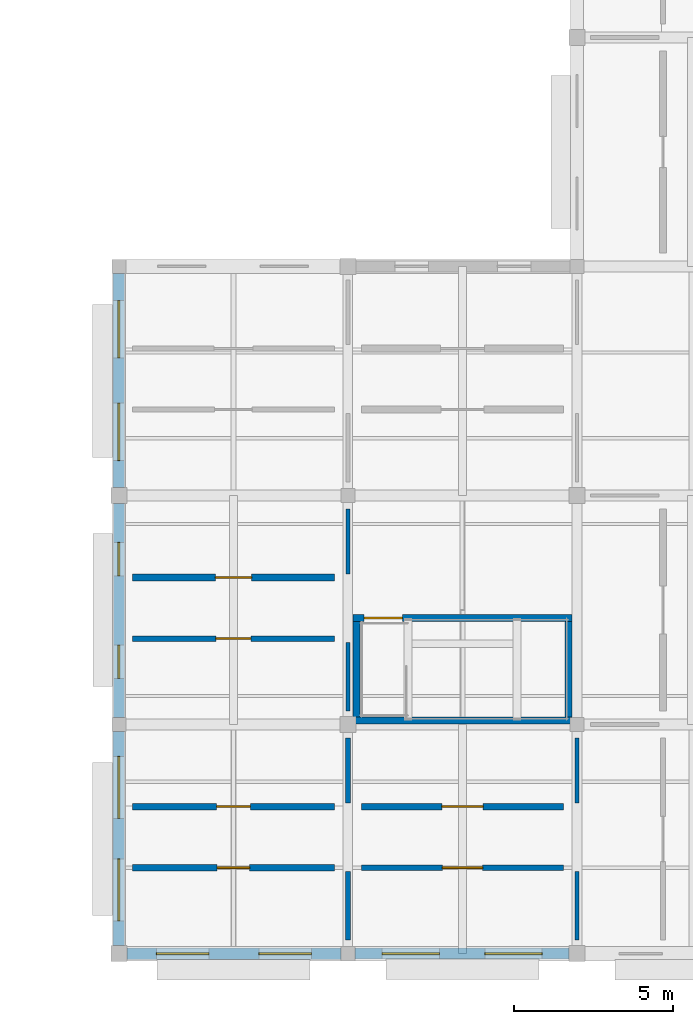
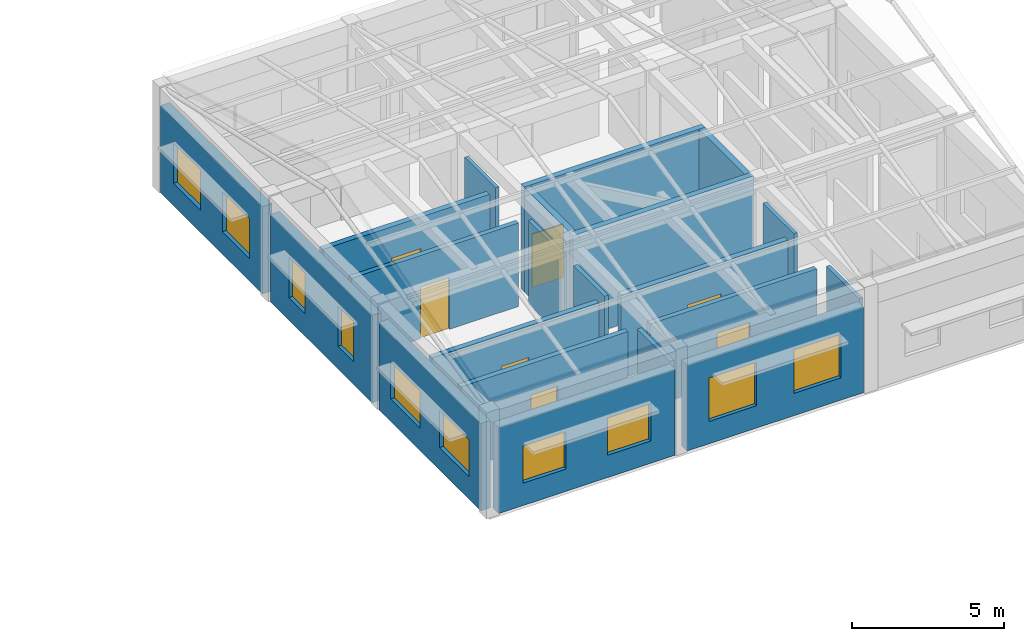
# One storey, part 133 of 171: 21 walls, 10 windows, 7 doors, 17 openings.
"""IFC4 building model written with IfcOpenShell, lengths in metres."""

from ifc_helpers import new_model, si_unit, direction, frame, frame_2d, origin, place, context, subcontext, project, spatial, rectangle, extrude, material, layer, layer_set, type_object, element, fill, save


model = new_model("IFC4")

# Units and contexts
model_context = context("Model", 3, precision=1e-05, world=origin(), true_north=direction((0.0, 1.0)))
body_context = subcontext(model_context, "Body", "Model", "MODEL_VIEW")
ifc_project = project(units=[si_unit("LENGTHUNIT", "METRE"), si_unit("AREAUNIT", "SQUARE_METRE"), si_unit("VOLUMEUNIT", "CUBIC_METRE"), si_unit("PLANEANGLEUNIT", "RADIAN"), si_unit("MASSUNIT", "GRAM", prefix="KILO")], contexts=[model_context])

# Site, building, storey
site_placement = place(None, origin())
site = spatial("IfcSite", under=ifc_project, at=site_placement, CompositionType="ELEMENT")
building_placement = place(site_placement, origin())
building = spatial("IfcBuilding", under=site, at=building_placement, Name="Aldebral Square Health Centre", CompositionType="ELEMENT")
storey_placement = place(building_placement, frame((0.0, 0.0, 4.5)))
storey = spatial("IfcBuildingStorey", under=building, at=storey_placement, Name="L01", CompositionType="ELEMENT", Elevation=4.5)

# Wall, openings, windows
ifc_material_1 = material(Name="Cream cantera stone and concrete wall C35/45", Category="masonry")
ifc_layer_1 = layer(ifc_material_1, 0.340087890625, Name="Cream cantera stone and concrete wall C35/45", Category="masonry")
ifc_layer_set_1 = layer_set([ifc_layer_1], Name="Cream cantera stone and concrete wall C35/45")
wall_type_1 = type_object("IfcWallType", Name="EW-CAN-340", PredefinedType="SOLIDWALL", material=ifc_layer_set_1)
wall_1_placement = place(storey_placement, frame((144.0, 14.14990234375, 0.0), z_axis=(0.0, 0.0, 1.0), x_axis=(0.0, -1.0, 0.0)))
wall_1 = element("IfcWall", 1, at=wall_1_placement, inside=storey, type_object=wall_type_1, Name="L01 V3 exterior wall L01-V3-20-01-W", PredefinedType="SOLIDWALL", context=body_context, shape_type="SweptSolid", body=[
    extrude(rectangle(XDim=6.724853515625, YDim=0.340087890625, at=frame_2d((3.3623046875, 0.0))), origin(), (0.0, 0.0, 1.0), 3.52001953125),
])
opening_1_placement = place(wall_1_placement, frame((1.22509765625, 0.0, 0.89990234375)))
opening_1 = element("IfcOpeningElement", 2, at=opening_1_placement, cuts=wall_1, Name="Opening W29", PredefinedType="OPENING", context=body_context, shape_type="SweptSolid", body=[
    extrude(rectangle(XDim=1.050048828125, YDim=1.6201171875, at=frame_2d((0.52490234375, 0.81005859375))), frame((0.0, 0.18017578125, 0.0), z_axis=(0.0, -1.0, 0.0), x_axis=(1.0, 0.0, 0.0)), (0.0, 0.0, 1.0), 0.360107421875),
])
opening_2_placement = place(wall_1_placement, frame((4.449951171875, 0.0, 0.89990234375)))
opening_2 = element("IfcOpeningElement", 3, at=opening_2_placement, cuts=wall_1, Name="Opening W29", PredefinedType="OPENING", context=body_context, shape_type="SweptSolid", body=[
    extrude(rectangle(XDim=1.050048828125, YDim=1.6201171875, at=frame_2d((0.52490234375, 0.81005859375))), frame((0.0, 0.18017578125, 0.0), z_axis=(0.0, -1.0, 0.0), x_axis=(1.0, 0.0, 0.0)), (0.0, 0.0, 1.0), 0.360107421875),
])
ifc_material_2 = material(Name="Thermally broken aluminium and low-E glass", Category="aluminium")
window_type_1 = type_object("IfcWindowType", Name="WIN-W29", PartitioningType="SINGLE_PANEL", PredefinedType="WINDOW", material=ifc_material_2)
window_1_placement = place(opening_1_placement, origin())
window_1 = element("IfcWindow", 4, at=window_1_placement, inside=storey, type_object=window_type_1, Name="L01 clinical window L01-V3-20-01-W.1", OverallHeight=1.6201171875, OverallWidth=1.050048828125, PartitioningType="SINGLE_PANEL", PredefinedType="WINDOW", context=body_context, shape_type="SweptSolid", body=[
    extrude(rectangle(XDim=1.050048828125, YDim=1.6201171875, at=frame_2d((0.52490234375, 0.81005859375))), frame((0.0, 0.030029296875, 0.0), z_axis=(0.0, -1.0, 0.0), x_axis=(1.0, 0.0, 0.0)), (0.0, 0.0, 1.0), 0.06005859375),
])
fill(opening_1, window_1)
window_2_placement = place(opening_2_placement, origin())
window_2 = element("IfcWindow", 5, at=window_2_placement, inside=storey, type_object=window_type_1, Name="L01 clinical window L01-V3-20-01-W.2", OverallHeight=1.6201171875, OverallWidth=1.050048828125, PartitioningType="SINGLE_PANEL", PredefinedType="WINDOW", context=body_context, shape_type="SweptSolid", body=[
    extrude(rectangle(XDim=1.050048828125, YDim=1.6201171875, at=frame_2d((0.52490234375, 0.81005859375))), frame((0.0, 0.030029296875, 0.0), z_axis=(0.0, -1.0, 0.0), x_axis=(1.0, 0.0, 0.0)), (0.0, 0.0, 1.0), 0.06005859375),
])
fill(opening_2, window_2)

wall_2_placement = place(storey_placement, frame((151.425048828125, 0.0, 0.0), z_axis=(0.0, 0.0, 1.0), x_axis=(1.0, 0.0, 0.0)))
wall_2 = element("IfcWall", 6, at=wall_2_placement, inside=storey, type_object=wall_type_1, Name="L01 V3 exterior wall L01-V3-21-00-S", PredefinedType="SOLIDWALL", context=body_context, shape_type="SweptSolid", body=[
    extrude(rectangle(XDim=6.724853515625, YDim=0.340087890625, at=frame_2d((3.3623046875, 0.0))), origin(), (0.0, 0.0, 1.0), 3.469970703125),
])
opening_3_placement = place(wall_2_placement, frame((0.85009765625, 0.0, 0.89990234375)))
opening_3 = element("IfcOpeningElement", 7, at=opening_3_placement, cuts=wall_2, Name="Opening W43", PredefinedType="OPENING", context=body_context, shape_type="SweptSolid", body=[
    extrude(rectangle(XDim=1.800048828125, YDim=1.75, at=frame_2d((0.89990234375, 0.875))), frame((0.0, 0.18017578125, 0.0), z_axis=(0.0, -1.0, 0.0), x_axis=(1.0, 0.0, 0.0)), (0.0, 0.0, 1.0), 0.360107421875),
])
opening_4_placement = place(wall_2_placement, frame((4.074951171875, 0.0, 0.89990234375)))
opening_4 = element("IfcOpeningElement", 8, at=opening_4_placement, cuts=wall_2, Name="Opening W43", PredefinedType="OPENING", context=body_context, shape_type="SweptSolid", body=[
    extrude(rectangle(XDim=1.800048828125, YDim=1.75, at=frame_2d((0.89990234375, 0.875))), frame((0.0, 0.18017578125, 0.0), z_axis=(0.0, -1.0, 0.0), x_axis=(1.0, 0.0, 0.0)), (0.0, 0.0, 1.0), 0.360107421875),
])
window_type_2 = type_object("IfcWindowType", Name="WIN-W43", PartitioningType="SINGLE_PANEL", PredefinedType="WINDOW", material=ifc_material_2)
window_3_placement = place(opening_3_placement, origin())
window_3 = element("IfcWindow", 9, at=window_3_placement, inside=storey, type_object=window_type_2, Name="L01 clinical window L01-V3-21-00-S.1", OverallHeight=1.75, OverallWidth=1.800048828125, PartitioningType="SINGLE_PANEL", PredefinedType="WINDOW", context=body_context, shape_type="SweptSolid", body=[
    extrude(rectangle(XDim=1.800048828125, YDim=1.75, at=frame_2d((0.89990234375, 0.875))), frame((0.0, 0.030029296875, 0.0), z_axis=(0.0, -1.0, 0.0), x_axis=(1.0, 0.0, 0.0)), (0.0, 0.0, 1.0), 0.06005859375),
])
fill(opening_3, window_3)
window_4_placement = place(opening_4_placement, origin())
window_4 = element("IfcWindow", 10, at=window_4_placement, inside=storey, type_object=window_type_2, Name="L01 clinical window L01-V3-21-00-S.2", OverallHeight=1.75, OverallWidth=1.800048828125, PartitioningType="SINGLE_PANEL", PredefinedType="WINDOW", context=body_context, shape_type="SweptSolid", body=[
    extrude(rectangle(XDim=1.800048828125, YDim=1.75, at=frame_2d((0.89990234375, 0.875))), frame((0.0, 0.030029296875, 0.0), z_axis=(0.0, -1.0, 0.0), x_axis=(1.0, 0.0, 0.0)), (0.0, 0.0, 1.0), 0.06005859375),
])
fill(opening_4, window_4)

ifc_layer_2 = layer(ifc_material_1, 0.360107421875, Name="Cream cantera stone and concrete wall C35/45", Category="masonry")
ifc_layer_set_2 = layer_set([ifc_layer_2], Name="Cream cantera stone and concrete wall C35/45")
wall_type_2 = type_object("IfcWallType", Name="EW-CAN-360", PredefinedType="SOLIDWALL", material=ifc_layer_set_2)
wall_3_placement = place(storey_placement, frame((144.25, 0.0, 0.0), z_axis=(0.0, 0.0, 1.0), x_axis=(1.0, 0.0, 0.0)))
wall_3 = element("IfcWall", 11, at=wall_3_placement, inside=storey, type_object=wall_type_2, Name="L01 V3 exterior wall L01-V3-20-00-S", PredefinedType="SOLIDWALL", context=body_context, shape_type="SweptSolid", body=[
    extrude(rectangle(XDim=6.72509765625, YDim=0.360107421875, at=frame_2d((3.362548828125, 0.0))), origin(), (0.0, 0.0, 1.0), 3.469970703125),
])
opening_5_placement = place(wall_3_placement, frame((0.925048828125, 0.0, 0.89990234375)))
opening_5 = element("IfcOpeningElement", 12, at=opening_5_placement, cuts=wall_3, Name="Opening W24", PredefinedType="OPENING", context=body_context, shape_type="SweptSolid", body=[
    extrude(rectangle(XDim=1.64990234375, YDim=1.5, at=frame_2d((0.824951171875, 0.75))), frame((0.0, 0.18994140625, 0.0), z_axis=(0.0, -1.0, 0.0), x_axis=(1.0, 0.0, 0.0)), (0.0, 0.0, 1.0), 0.380126953125),
])
opening_6_placement = place(wall_3_placement, frame((4.14990234375, 0.0, 0.89990234375)))
opening_6 = element("IfcOpeningElement", 13, at=opening_6_placement, cuts=wall_3, Name="Opening W24", PredefinedType="OPENING", context=body_context, shape_type="SweptSolid", body=[
    extrude(rectangle(XDim=1.64990234375, YDim=1.5, at=frame_2d((0.824951171875, 0.75))), frame((0.0, 0.18994140625, 0.0), z_axis=(0.0, -1.0, 0.0), x_axis=(1.0, 0.0, 0.0)), (0.0, 0.0, 1.0), 0.380126953125),
])
window_type_3 = type_object("IfcWindowType", Name="WIN-W24", PartitioningType="SINGLE_PANEL", PredefinedType="WINDOW", material=ifc_material_2)
window_5_placement = place(opening_5_placement, origin())
window_5 = element("IfcWindow", 14, at=window_5_placement, inside=storey, type_object=window_type_3, Name="L01 clinical window L01-V3-20-00-S.1", OverallHeight=1.5, OverallWidth=1.64990234375, PartitioningType="SINGLE_PANEL", PredefinedType="WINDOW", context=body_context, shape_type="SweptSolid", body=[
    extrude(rectangle(XDim=1.64990234375, YDim=1.5, at=frame_2d((0.824951171875, 0.75))), frame((0.0, 0.030029296875, 0.0), z_axis=(0.0, -1.0, 0.0), x_axis=(1.0, 0.0, 0.0)), (0.0, 0.0, 1.0), 0.06005859375),
])
fill(opening_5, window_5)
window_6_placement = place(opening_6_placement, origin())
window_6 = element("IfcWindow", 15, at=window_6_placement, inside=storey, type_object=window_type_3, Name="L01 clinical window L01-V3-20-00-S.2", OverallHeight=1.5, OverallWidth=1.64990234375, PartitioningType="SINGLE_PANEL", PredefinedType="WINDOW", context=body_context, shape_type="SweptSolid", body=[
    extrude(rectangle(XDim=1.64990234375, YDim=1.5, at=frame_2d((0.824951171875, 0.75))), frame((0.0, 0.030029296875, 0.0), z_axis=(0.0, -1.0, 0.0), x_axis=(1.0, 0.0, 0.0)), (0.0, 0.0, 1.0), 0.06005859375),
])
fill(opening_6, window_6)

wall_4_placement = place(storey_placement, frame((144.0, 6.97509765625, 0.0), z_axis=(0.0, 0.0, 1.0), x_axis=(0.0, -1.0, 0.0)))
wall_4 = element("IfcWall", 16, at=wall_4_placement, inside=storey, type_object=wall_type_2, Name="L01 V3 exterior wall L01-V3-20-00-W", PredefinedType="SOLIDWALL", context=body_context, shape_type="SweptSolid", body=[
    extrude(rectangle(XDim=6.72509765625, YDim=0.360107421875, at=frame_2d((3.362548828125, 0.0))), origin(), (0.0, 0.0, 1.0), 3.52001953125),
])
opening_7_placement = place(wall_4_placement, frame((0.77490234375, 0.0, 0.89990234375)))
opening_7 = element("IfcOpeningElement", 17, at=opening_7_placement, cuts=wall_4, Name="Opening W26", PredefinedType="OPENING", context=body_context, shape_type="SweptSolid", body=[
    extrude(rectangle(XDim=1.949951171875, YDim=1.5, at=frame_2d((0.97509765625, 0.75))), frame((0.0, 0.18994140625, 0.0), z_axis=(0.0, -1.0, 0.0), x_axis=(1.0, 0.0, 0.0)), (0.0, 0.0, 1.0), 0.380126953125),
])
opening_8_placement = place(wall_4_placement, frame((4.0, 0.0, 0.89990234375)))
opening_8 = element("IfcOpeningElement", 18, at=opening_8_placement, cuts=wall_4, Name="Opening W26", PredefinedType="OPENING", context=body_context, shape_type="SweptSolid", body=[
    extrude(rectangle(XDim=1.949951171875, YDim=1.5, at=frame_2d((0.97509765625, 0.75))), frame((0.0, 0.18994140625, 0.0), z_axis=(0.0, -1.0, 0.0), x_axis=(1.0, 0.0, 0.0)), (0.0, 0.0, 1.0), 0.380126953125),
])
window_type_4 = type_object("IfcWindowType", Name="WIN-W26", PartitioningType="SINGLE_PANEL", PredefinedType="WINDOW", material=ifc_material_2)
window_7_placement = place(opening_7_placement, origin())
window_7 = element("IfcWindow", 19, at=window_7_placement, inside=storey, type_object=window_type_4, Name="L01 clinical window L01-V3-20-00-W.1", OverallHeight=1.5, OverallWidth=1.949951171875, PartitioningType="SINGLE_PANEL", PredefinedType="WINDOW", context=body_context, shape_type="SweptSolid", body=[
    extrude(rectangle(XDim=1.949951171875, YDim=1.5, at=frame_2d((0.97509765625, 0.75))), frame((0.0, 0.030029296875, 0.0), z_axis=(0.0, -1.0, 0.0), x_axis=(1.0, 0.0, 0.0)), (0.0, 0.0, 1.0), 0.06005859375),
])
fill(opening_7, window_7)
window_8_placement = place(opening_8_placement, origin())
window_8 = element("IfcWindow", 20, at=window_8_placement, inside=storey, type_object=window_type_4, Name="L01 clinical window L01-V3-20-00-W.2", OverallHeight=1.5, OverallWidth=1.949951171875, PartitioningType="SINGLE_PANEL", PredefinedType="WINDOW", context=body_context, shape_type="SweptSolid", body=[
    extrude(rectangle(XDim=1.949951171875, YDim=1.5, at=frame_2d((0.97509765625, 0.75))), frame((0.0, 0.030029296875, 0.0), z_axis=(0.0, -1.0, 0.0), x_axis=(1.0, 0.0, 0.0)), (0.0, 0.0, 1.0), 0.06005859375),
])
fill(opening_8, window_8)

wall_5_placement = place(storey_placement, frame((144.0, 21.375, 0.0), z_axis=(0.0, 0.0, 1.0), x_axis=(0.0, -1.0, 0.0)))
wall_5 = element("IfcWall", 21, at=wall_5_placement, inside=storey, type_object=wall_type_2, Name="L01 V3 exterior wall L01-V3-20-02-W", PredefinedType="SOLIDWALL", context=body_context, shape_type="SweptSolid", body=[
    extrude(rectangle(XDim=6.72509765625, YDim=0.360107421875, at=frame_2d((3.362548828125, 0.0))), origin(), (0.0, 0.0, 1.0), 3.52001953125),
])
opening_9_placement = place(wall_5_placement, frame((0.85009765625, 0.0, 0.89990234375)))
opening_9 = element("IfcOpeningElement", 22, at=opening_9_placement, cuts=wall_5, Name="Opening W34", PredefinedType="OPENING", context=body_context, shape_type="SweptSolid", body=[
    extrude(rectangle(XDim=1.800048828125, YDim=1.6201171875, at=frame_2d((0.89990234375, 0.81005859375))), frame((0.0, 0.18994140625, 0.0), z_axis=(0.0, -1.0, 0.0), x_axis=(1.0, 0.0, 0.0)), (0.0, 0.0, 1.0), 0.380126953125),
])
opening_10_placement = place(wall_5_placement, frame((4.074951171875, 0.0, 0.89990234375)))
opening_10 = element("IfcOpeningElement", 23, at=opening_10_placement, cuts=wall_5, Name="Opening W34", PredefinedType="OPENING", context=body_context, shape_type="SweptSolid", body=[
    extrude(rectangle(XDim=1.800048828125, YDim=1.6201171875, at=frame_2d((0.89990234375, 0.81005859375))), frame((0.0, 0.18994140625, 0.0), z_axis=(0.0, -1.0, 0.0), x_axis=(1.0, 0.0, 0.0)), (0.0, 0.0, 1.0), 0.380126953125),
])
window_type_5 = type_object("IfcWindowType", Name="WIN-W34", PartitioningType="SINGLE_PANEL", PredefinedType="WINDOW", material=ifc_material_2)
window_9_placement = place(opening_9_placement, origin())
window_9 = element("IfcWindow", 24, at=window_9_placement, inside=storey, type_object=window_type_5, Name="L01 clinical window L01-V3-20-02-W.1", OverallHeight=1.6201171875, OverallWidth=1.800048828125, PartitioningType="SINGLE_PANEL", PredefinedType="WINDOW", context=body_context, shape_type="SweptSolid", body=[
    extrude(rectangle(XDim=1.800048828125, YDim=1.6201171875, at=frame_2d((0.89990234375, 0.81005859375))), frame((0.0, 0.030029296875, 0.0), z_axis=(0.0, -1.0, 0.0), x_axis=(1.0, 0.0, 0.0)), (0.0, 0.0, 1.0), 0.06005859375),
])
fill(opening_9, window_9)
window_10_placement = place(opening_10_placement, origin())
window_10 = element("IfcWindow", 25, at=window_10_placement, inside=storey, type_object=window_type_5, Name="L01 clinical window L01-V3-20-02-W.2", OverallHeight=1.6201171875, OverallWidth=1.800048828125, PartitioningType="SINGLE_PANEL", PredefinedType="WINDOW", context=body_context, shape_type="SweptSolid", body=[
    extrude(rectangle(XDim=1.800048828125, YDim=1.6201171875, at=frame_2d((0.89990234375, 0.81005859375))), frame((0.0, 0.030029296875, 0.0), z_axis=(0.0, -1.0, 0.0), x_axis=(1.0, 0.0, 0.0)), (0.0, 0.0, 1.0), 0.06005859375),
])
fill(opening_10, window_10)

# Wall, opening, door
ifc_material_3 = material(Name="Concrete C35/45 compartment wall", Category="concrete")
ifc_layer_3 = layer(ifc_material_3, 0.199951171875, Name="Concrete C35/45 compartment wall", Category="concrete")
ifc_layer_set_3 = layer_set([ifc_layer_3], Name="Concrete C35/45 compartment wall")
wall_type_3 = type_object("IfcWallType", Name="IW-CMP-200", PredefinedType="SOLIDWALL", material=ifc_layer_set_3)
wall_6_placement = place(storey_placement, frame((144.419921875, 2.699951171875, 0.0), z_axis=(0.0, 0.0, 1.0), x_axis=(1.0, 0.0, 0.0)))
wall_6 = element("IfcWall", 26, at=wall_6_placement, inside=storey, type_object=wall_type_3, Name="L01 Therapy Pavilion Studio 21.1S corridor wall", PredefinedType="SOLIDWALL", context=body_context, shape_type="SweptSolid", body=[
    extrude(rectangle(XDim=6.360107421875, YDim=0.199951171875, at=frame_2d((3.18017578125, 0.0))), origin(), (0.0, 0.0, 1.0), 3.360107421875),
])
opening_11_placement = place(wall_6_placement, frame((2.669921875, 0.0, 0.0)))
opening_11 = element("IfcOpeningElement", 27, at=opening_11_placement, cuts=wall_6, Name="Opening D-0241", PredefinedType="OPENING", context=body_context, shape_type="SweptSolid", body=[
    extrude(rectangle(XDim=1.02001953125, YDim=2.090087890625, at=frame_2d((0.510009765625, 1.044921875))), frame((0.0, 0.10986328125, 0.0), z_axis=(0.0, -1.0, 0.0), x_axis=(1.0, 0.0, 0.0)), (0.0, 0.0, 1.0), 0.219970703125),
])
ifc_material_4 = material(Name="Clinical suite fire door")
door_type_1 = type_object("IfcDoorType", Name="ID-EXD-19", OperationType="NOTDEFINED", PredefinedType="DOOR", material=ifc_material_4)
door_1_placement = place(opening_11_placement, origin())
door_1 = element("IfcDoor", 28, at=door_1_placement, inside=storey, type_object=door_type_1, Name="L01 Therapy Pavilion Studio 21.1S door", OperationType="SINGLE_SWING_RIGHT", OverallHeight=2.090087890625, OverallWidth=1.02001953125, PredefinedType="DOOR", context=body_context, shape_type="SweptSolid", body=[
    extrude(rectangle(XDim=1.02001953125, YDim=2.090087890625, at=frame_2d((0.510009765625, 1.044921875))), frame((0.0, 0.02490234375, 0.0), z_axis=(0.0, -1.0, 0.0), x_axis=(1.0, 0.0, 0.0)), (0.0, 0.0, 1.0), 0.050048828125),
])
fill(opening_11, door_1)

wall_7_placement = place(storey_placement, frame((144.419921875, 4.6201171875, 0.0), z_axis=(0.0, 0.0, 1.0), x_axis=(1.0, 0.0, 0.0)))
wall_7 = element("IfcWall", 29, at=wall_7_placement, inside=storey, type_object=wall_type_3, Name="L01 Occupational Therapy Workshop 21.1N corridor wall", PredefinedType="SOLIDWALL", context=body_context, shape_type="SweptSolid", body=[
    extrude(rectangle(XDim=6.360107421875, YDim=0.199951171875, at=frame_2d((3.18017578125, 0.0))), origin(), (0.0, 0.0, 1.0), 3.360107421875),
])
opening_12_placement = place(wall_7_placement, frame((2.64990234375, 0.0, 0.0)))
opening_12 = element("IfcOpeningElement", 30, at=opening_12_placement, cuts=wall_7, Name="Opening D-0242", PredefinedType="OPENING", context=body_context, shape_type="SweptSolid", body=[
    extrude(rectangle(XDim=1.06005859375, YDim=2.090087890625, at=frame_2d((0.530029296875, 1.044921875))), frame((0.0, 0.10986328125, 0.0), z_axis=(0.0, -1.0, 0.0), x_axis=(1.0, 0.0, 0.0)), (0.0, 0.0, 1.0), 0.219970703125),
])
door_type_2 = type_object("IfcDoorType", Name="ID-EXD-20", OperationType="NOTDEFINED", PredefinedType="DOOR", material=ifc_material_4)
door_2_placement = place(opening_12_placement, origin())
door_2 = element("IfcDoor", 31, at=door_2_placement, inside=storey, type_object=door_type_2, Name="L01 Occupational Therapy Workshop 21.1N door", OperationType="SINGLE_SWING_LEFT", OverallHeight=2.090087890625, OverallWidth=1.06005859375, PredefinedType="DOOR", context=body_context, shape_type="SweptSolid", body=[
    extrude(rectangle(XDim=1.06005859375, YDim=2.090087890625, at=frame_2d((0.530029296875, 1.044921875))), frame((0.0, 0.02490234375, 0.0), z_axis=(0.0, -1.0, 0.0), x_axis=(1.0, 0.0, 0.0)), (0.0, 0.0, 1.0), 0.050048828125),
])
fill(opening_12, door_2)

ifc_material_5 = material(Name="Fire-rated acoustic gypsum partition")
ifc_layer_4 = layer(ifc_material_5, 0.179931640625, Name="Fire-rated acoustic gypsum partition")
ifc_layer_set_4 = layer_set([ifc_layer_4], Name="Fire-rated acoustic gypsum partition")
wall_type_4 = type_object("IfcWallType", Name="IW-COR-180", PredefinedType="PARTITIONING", material=ifc_layer_set_4)
wall_8_placement = place(storey_placement, frame((144.419921875, 9.89990234375, 0.0), z_axis=(0.0, 0.0, 1.0), x_axis=(1.0, 0.0, 0.0)))
wall_8 = element("IfcWall", 32, at=wall_8_placement, inside=storey, type_object=wall_type_4, Name="L01 Sensory Recovery Suite 21.2S corridor wall", PredefinedType="PARTITIONING", context=body_context, shape_type="SweptSolid", body=[
    extrude(rectangle(XDim=6.360107421875, YDim=0.179931640625, at=frame_2d((3.18017578125, 0.0))), origin(), (0.0, 0.0, 1.0), 3.360107421875),
])
opening_13_placement = place(wall_8_placement, frame((2.6298828125, 0.0, 0.0)))
opening_13 = element("IfcOpeningElement", 33, at=opening_13_placement, cuts=wall_8, Name="Opening D-0243", PredefinedType="OPENING", context=body_context, shape_type="SweptSolid", body=[
    extrude(rectangle(XDim=1.10009765625, YDim=2.090087890625, at=frame_2d((0.550048828125, 1.044921875))), frame((0.0, 0.10009765625, 0.0), z_axis=(0.0, -1.0, 0.0), x_axis=(1.0, 0.0, 0.0)), (0.0, 0.0, 1.0), 0.199951171875),
])
door_type_3 = type_object("IfcDoorType", Name="ID-EXD-21", OperationType="NOTDEFINED", PredefinedType="DOOR", material=ifc_material_4)
door_3_placement = place(opening_13_placement, origin())
door_3 = element("IfcDoor", 34, at=door_3_placement, inside=storey, type_object=door_type_3, Name="L01 Sensory Recovery Suite 21.2S door", OperationType="SINGLE_SWING_RIGHT", OverallHeight=2.090087890625, OverallWidth=1.10009765625, PredefinedType="DOOR", context=body_context, shape_type="SweptSolid", body=[
    extrude(rectangle(XDim=1.10009765625, YDim=2.090087890625, at=frame_2d((0.550048828125, 1.044921875))), frame((0.0, 0.02490234375, 0.0), z_axis=(0.0, -1.0, 0.0), x_axis=(1.0, 0.0, 0.0)), (0.0, 0.0, 1.0), 0.050048828125),
])
fill(opening_13, door_3)

wall_9_placement = place(storey_placement, frame((151.6201171875, 2.699951171875, 0.0), z_axis=(0.0, 0.0, 1.0), x_axis=(1.0, 0.0, 0.0)))
wall_9 = element("IfcWall", 35, at=wall_9_placement, inside=storey, type_object=wall_type_4, Name="L01 Sensory Recovery Suite 22.1S corridor wall", PredefinedType="PARTITIONING", context=body_context, shape_type="SweptSolid", body=[
    extrude(rectangle(XDim=6.35986328125, YDim=0.179931640625, at=frame_2d((3.179931640625, 0.0))), origin(), (0.0, 0.0, 1.0), 3.360107421875),
])
opening_14_placement = place(wall_9_placement, frame((2.550048828125, 0.0, 0.0)))
opening_14 = element("IfcOpeningElement", 36, at=opening_14_placement, cuts=wall_9, Name="Opening D-0247", PredefinedType="OPENING", context=body_context, shape_type="SweptSolid", body=[
    extrude(rectangle(XDim=1.260009765625, YDim=2.090087890625, at=frame_2d((0.6298828125, 1.044921875))), frame((0.0, 0.10009765625, 0.0), z_axis=(0.0, -1.0, 0.0), x_axis=(1.0, 0.0, 0.0)), (0.0, 0.0, 1.0), 0.199951171875),
])
door_type_4 = type_object("IfcDoorType", Name="ID-EXD-25", OperationType="NOTDEFINED", PredefinedType="DOOR", material=ifc_material_4)
door_4_placement = place(opening_14_placement, origin())
door_4 = element("IfcDoor", 37, at=door_4_placement, inside=storey, type_object=door_type_4, Name="L01 Sensory Recovery Suite 22.1S door", OperationType="SINGLE_SWING_RIGHT", OverallHeight=2.090087890625, OverallWidth=1.260009765625, PredefinedType="DOOR", context=body_context, shape_type="SweptSolid", body=[
    extrude(rectangle(XDim=1.260009765625, YDim=2.090087890625, at=frame_2d((0.6298828125, 1.044921875))), frame((0.0, 0.02490234375, 0.0), z_axis=(0.0, -1.0, 0.0), x_axis=(1.0, 0.0, 0.0)), (0.0, 0.0, 1.0), 0.050048828125),
])
fill(opening_14, door_4)

# Wall
ifc_material_6 = material(Name="Concrete C40/50", Category="concrete")
ifc_layer_5 = layer(ifc_material_6, 0.219970703125, Name="Concrete C40/50", Category="concrete")
ifc_layer_set_5 = layer_set([ifc_layer_5], Name="Concrete C40/50")
wall_type_5 = type_object("IfcWallType", Name="IW-CORE-280", PredefinedType="SHEAR", material=ifc_layer_set_5)
wall_10_placement = place(storey_placement, frame((151.360107421875, 7.330078125, 0.0), z_axis=(0.0, 0.0, 1.0), x_axis=(1.0, 0.0, 0.0)))
element("IfcWall", 38, at=wall_10_placement, inside=storey, type_object=wall_type_5, Name="L01 WS-S8 shaft wall S", PredefinedType="SHEAR", context=body_context, shape_type="SweptSolid", body=[
    extrude(rectangle(XDim=6.8798828125, YDim=0.219970703125, at=frame_2d((3.43994140625, 0.0))), origin(), (0.0, 0.0, 1.0), 4.219970703125),
])

# Wall, opening, door
wall_11_placement = place(storey_placement, frame((151.360107421875, 10.550048828125, 0.0), z_axis=(0.0, 0.0, 1.0), x_axis=(1.0, 0.0, 0.0)))
wall_11 = element("IfcWall", 39, at=wall_11_placement, inside=storey, type_object=wall_type_5, Name="L01 WS-S8 shaft wall N", PredefinedType="SHEAR", context=body_context, shape_type="SweptSolid", body=[
    extrude(rectangle(XDim=6.8798828125, YDim=0.219970703125, at=frame_2d((3.43994140625, 0.0))), origin(), (0.0, 0.0, 1.0), 4.219970703125),
])
opening_15_placement = place(wall_11_placement, frame((0.35009765625, 0.0, 0.0)))
opening_15 = element("IfcOpeningElement", 40, at=opening_15_placement, cuts=wall_11, Name="Opening D-0071", PredefinedType="OPENING", context=body_context, shape_type="SweptSolid", body=[
    extrude(rectangle(XDim=1.199951171875, YDim=2.14990234375, at=frame_2d((0.60009765625, 1.074951171875))), frame((0.0, 0.1201171875, 0.0), z_axis=(0.0, -1.0, 0.0), x_axis=(1.0, 0.0, 0.0)), (0.0, 0.0, 1.0), 0.239990234375),
])
ifc_material_7 = material(Name="Fire-rated steel stair door", Category="steel")
door_type_5 = type_object("IfcDoorType", Name="ID-ST-120", OperationType="NOTDEFINED", PredefinedType="DOOR", material=ifc_material_7)
door_5_placement = place(opening_15_placement, origin())
door_5 = element("IfcDoor", 41, at=door_5_placement, inside=storey, type_object=door_type_5, Name="L01 ST-08 fire door", OperationType="SINGLE_SWING_LEFT", OverallHeight=2.14990234375, OverallWidth=1.199951171875, PredefinedType="DOOR", context=body_context, shape_type="SweptSolid", body=[
    extrude(rectangle(XDim=1.199951171875, YDim=2.14990234375, at=frame_2d((0.60009765625, 1.074951171875))), frame((0.0, 0.02490234375, 0.0), z_axis=(0.0, -1.0, 0.0), x_axis=(1.0, 0.0, 0.0)), (0.0, 0.0, 1.0), 0.050048828125),
])
fill(opening_15, door_5)

# Walls
for number, where, z_axis, x_axis, name in (
    (42, (151.469970703125, 7.43994140625, 0.0), (0.0, 0.0, 1.0), (0.0, 1.0, 0.0), "L01 WS-S8 shaft wall W"),
    (43, (158.1298828125, 7.43994140625, 0.0), (0.0, 0.0, 1.0), (0.0, 1.0, 0.0), "L01 WS-S8 shaft wall E"),
):
    element("IfcWall", number, at=place(storey_placement, frame(where, z_axis=z_axis, x_axis=x_axis)), inside=storey, type_object=wall_type_5, Name=name, PredefinedType="SHEAR", context=body_context, shape_type="SweptSolid", body=[
        extrude(rectangle(XDim=3.0, YDim=0.219970703125, at=frame_2d((1.5, 0.0))), origin(), (0.0, 0.0, 1.0), 4.219970703125),
    ])

# Wall, opening, door
ifc_material_8 = material(Name="Moisture-resistant sanitary chase wall")
ifc_layer_6 = layer(ifc_material_8, 0.2099609375, Name="Moisture-resistant sanitary chase wall")
ifc_layer_set_6 = layer_set([ifc_layer_6], Name="Moisture-resistant sanitary chase wall")
wall_type_6 = type_object("IfcWallType", Name="IW-PLB-210", PredefinedType="PLUMBINGWALL", material=ifc_layer_set_6)
wall_12_placement = place(storey_placement, frame((144.419921875, 11.820068359375, 0.0), z_axis=(0.0, 0.0, 1.0), x_axis=(1.0, 0.0, 0.0)))
wall_12 = element("IfcWall", 44, at=wall_12_placement, inside=storey, type_object=wall_type_6, Name="L01 Accessible WC 21.2N corridor wall", PredefinedType="PLUMBINGWALL", context=body_context, shape_type="SweptSolid", body=[
    extrude(rectangle(XDim=6.360107421875, YDim=0.2099609375, at=frame_2d((3.18017578125, 0.0))), origin(), (0.0, 0.0, 1.0), 3.360107421875),
])
opening_16_placement = place(wall_12_placement, frame((2.610107421875, 0.0, 0.0)))
opening_16 = element("IfcOpeningElement", 45, at=opening_16_placement, cuts=wall_12, Name="Opening D-0244", PredefinedType="OPENING", context=body_context, shape_type="SweptSolid", body=[
    extrude(rectangle(XDim=1.139892578125, YDim=2.090087890625, at=frame_2d((0.56982421875, 1.044921875))), frame((0.0, 0.114990234375, 0.0), z_axis=(0.0, -1.0, 0.0), x_axis=(1.0, 0.0, 0.0)), (0.0, 0.0, 1.0), 0.22998046875),
])
door_type_6 = type_object("IfcDoorType", Name="ID-EXD-22", OperationType="NOTDEFINED", PredefinedType="DOOR", material=ifc_material_4)
door_6_placement = place(opening_16_placement, origin())
door_6 = element("IfcDoor", 46, at=door_6_placement, inside=storey, type_object=door_type_6, Name="L01 Accessible WC 21.2N door", OperationType="SINGLE_SWING_LEFT", OverallHeight=2.090087890625, OverallWidth=1.139892578125, PredefinedType="DOOR", context=body_context, shape_type="SweptSolid", body=[
    extrude(rectangle(XDim=1.139892578125, YDim=2.090087890625, at=frame_2d((0.56982421875, 1.044921875))), frame((0.0, 0.02490234375, 0.0), z_axis=(0.0, -1.0, 0.0), x_axis=(1.0, 0.0, 0.0)), (0.0, 0.0, 1.0), 0.050048828125),
])
fill(opening_16, door_6)

wall_13_placement = place(storey_placement, frame((151.6201171875, 4.6201171875, 0.0), z_axis=(0.0, 0.0, 1.0), x_axis=(1.0, 0.0, 0.0)))
wall_13 = element("IfcWall", 47, at=wall_13_placement, inside=storey, type_object=wall_type_6, Name="L01 Accessible WC 22.1N corridor wall", PredefinedType="PLUMBINGWALL", context=body_context, shape_type="SweptSolid", body=[
    extrude(rectangle(XDim=6.35986328125, YDim=0.2099609375, at=frame_2d((3.179931640625, 0.0))), origin(), (0.0, 0.0, 1.0), 3.360107421875),
])
opening_17_placement = place(wall_13_placement, frame((2.530029296875, 0.0, 0.0)))
opening_17 = element("IfcOpeningElement", 48, at=opening_17_placement, cuts=wall_13, Name="Opening D-0248", PredefinedType="OPENING", context=body_context, shape_type="SweptSolid", body=[
    extrude(rectangle(XDim=1.300048828125, YDim=2.090087890625, at=frame_2d((0.64990234375, 1.044921875))), frame((0.0, 0.114990234375, 0.0), z_axis=(0.0, -1.0, 0.0), x_axis=(1.0, 0.0, 0.0)), (0.0, 0.0, 1.0), 0.22998046875),
])
door_type_7 = type_object("IfcDoorType", Name="ID-EXD-26", OperationType="NOTDEFINED", PredefinedType="DOOR", material=ifc_material_4)
door_7_placement = place(opening_17_placement, origin())
door_7 = element("IfcDoor", 49, at=door_7_placement, inside=storey, type_object=door_type_7, Name="L01 Accessible WC 22.1N door", OperationType="SINGLE_SWING_LEFT", OverallHeight=2.090087890625, OverallWidth=1.300048828125, PredefinedType="DOOR", context=body_context, shape_type="SweptSolid", body=[
    extrude(rectangle(XDim=1.300048828125, YDim=2.090087890625, at=frame_2d((0.64990234375, 1.044921875))), frame((0.0, 0.02490234375, 0.0), z_axis=(0.0, -1.0, 0.0), x_axis=(1.0, 0.0, 0.0)), (0.0, 0.0, 1.0), 0.050048828125),
])
fill(opening_17, door_7)

# Walls
ifc_material_9 = material(Name="Acoustic clinical gypsum partition")
ifc_layer_7 = layer(ifc_material_9, 0.135009765625, Name="Acoustic clinical gypsum partition")
ifc_layer_set_7 = layer_set([ifc_layer_7], Name="Acoustic clinical gypsum partition")
wall_type_7 = type_object("IfcWallType", Name="IW-PRT-135", PredefinedType="PARTITIONING", material=ifc_layer_set_7)
wall_14_placement = place(storey_placement, frame((151.199951171875, 7.6201171875, 0.0), z_axis=(0.0, 0.0, 1.0), x_axis=(0.0, 1.0, 0.0)))
element("IfcWall", 50, at=wall_14_placement, inside=storey, type_object=wall_type_7, Name="L01 Sensory Recovery Suite 21.2S demising partition", PredefinedType="PARTITIONING", context=body_context, shape_type="SweptSolid", body=[
    extrude(rectangle(XDim=2.159912109375, YDim=0.135009765625, at=frame_2d((1.080078125, 0.0))), origin(), (0.0, 0.0, 1.0), 3.360107421875),
])
wall_15_placement = place(storey_placement, frame((151.199951171875, 11.93994140625, 0.0), z_axis=(0.0, 0.0, 1.0), x_axis=(0.0, 1.0, 0.0)))
element("IfcWall", 51, at=wall_15_placement, inside=storey, type_object=wall_type_7, Name="L01 Accessible WC 21.2N demising partition", PredefinedType="PARTITIONING", context=body_context, shape_type="SweptSolid", body=[
    extrude(rectangle(XDim=2.0400390625, YDim=0.135009765625, at=frame_2d((1.02001953125, 0.0))), origin(), (0.0, 0.0, 1.0), 3.360107421875),
])
wall_16_placement = place(storey_placement, frame((158.39990234375, 0.419921875, 0.0), z_axis=(0.0, 0.0, 1.0), x_axis=(0.0, 1.0, 0.0)))
element("IfcWall", 52, at=wall_16_placement, inside=storey, type_object=wall_type_7, Name="L01 Sensory Recovery Suite 22.1S demising partition", PredefinedType="PARTITIONING", context=body_context, shape_type="SweptSolid", body=[
    extrude(rectangle(XDim=2.16015625, YDim=0.135009765625, at=frame_2d((1.080078125, 0.0))), origin(), (0.0, 0.0, 1.0), 3.360107421875),
])
wall_17_placement = place(storey_placement, frame((158.39990234375, 4.739990234375, 0.0), z_axis=(0.0, 0.0, 1.0), x_axis=(0.0, 1.0, 0.0)))
element("IfcWall", 53, at=wall_17_placement, inside=storey, type_object=wall_type_7, Name="L01 Accessible WC 22.1N demising partition", PredefinedType="PARTITIONING", context=body_context, shape_type="SweptSolid", body=[
    extrude(rectangle(XDim=2.0400390625, YDim=0.135009765625, at=frame_2d((1.02001953125, 0.0))), origin(), (0.0, 0.0, 1.0), 3.360107421875),
])
ifc_layer_8 = layer(ifc_material_9, 0.14990234375, Name="Acoustic clinical gypsum partition")
ifc_layer_set_8 = layer_set([ifc_layer_8], Name="Acoustic clinical gypsum partition")
wall_type_8 = type_object("IfcWallType", Name="IW-PRT-150", PredefinedType="PARTITIONING", material=ifc_layer_set_8)
wall_18_placement = place(storey_placement, frame((151.199951171875, 0.419921875, 0.0), z_axis=(0.0, 0.0, 1.0), x_axis=(0.0, 1.0, 0.0)))
element("IfcWall", 54, at=wall_18_placement, inside=storey, type_object=wall_type_8, Name="L01 Therapy Pavilion Studio 21.1S demising partition", PredefinedType="PARTITIONING", context=body_context, shape_type="SweptSolid", body=[
    extrude(rectangle(XDim=2.16015625, YDim=0.14990234375, at=frame_2d((1.080078125, 0.0))), origin(), (0.0, 0.0, 1.0), 3.360107421875),
])
wall_19_placement = place(storey_placement, frame((151.199951171875, 4.739990234375, 0.0), z_axis=(0.0, 0.0, 1.0), x_axis=(0.0, 1.0, 0.0)))
element("IfcWall", 55, at=wall_19_placement, inside=storey, type_object=wall_type_8, Name="L01 Occupational Therapy Workshop 21.1N demising partition", PredefinedType="PARTITIONING", context=body_context, shape_type="SweptSolid", body=[
    extrude(rectangle(XDim=2.0400390625, YDim=0.14990234375, at=frame_2d((1.02001953125, 0.0))), origin(), (0.0, 0.0, 1.0), 3.360107421875),
])

save(model, "model.ifc")
